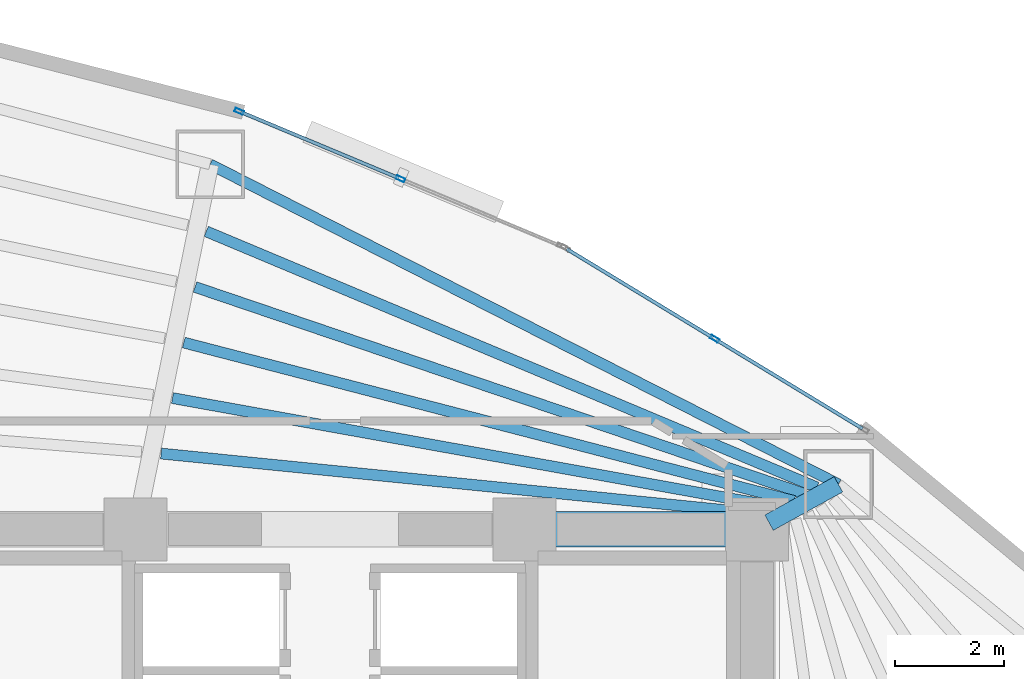
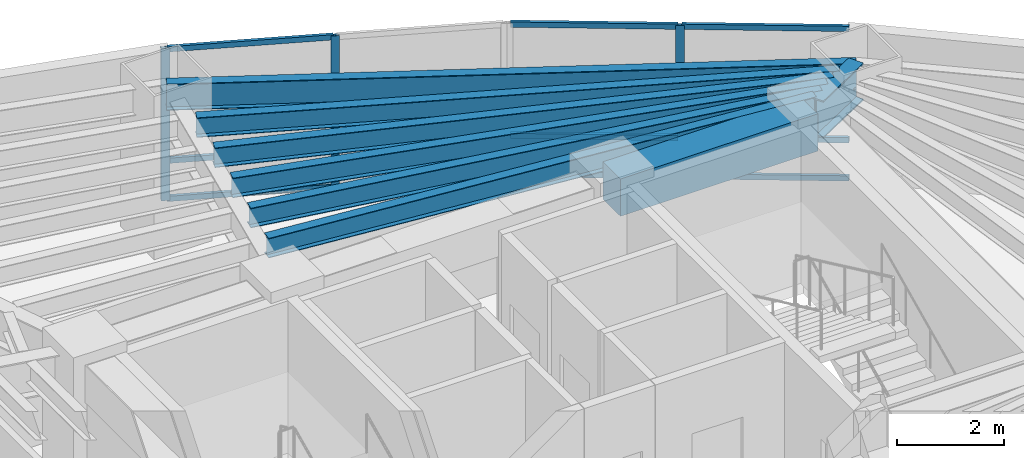
# One storey, part 9 of 16: 12 members, 8 beams, 2 elements without a shape of their own.
"""IFC4 building model written with IfcOpenShell, lengths in metres."""

from ifc_helpers import new_model, si_unit, direction, frame, origin, origin_2d, place, context, subcontext, project, spatial, rectangle, hollow_rectangle, i_section, extrude, material, layer, layer_set, material_profile, profile_set, type_object, element, aggregate, save


model = new_model("IFC4")

# Units and contexts
model_context = context("Model", 3, precision=1e-05, world=origin(), true_north=direction((0.0, 1.0)))
body_context = subcontext(model_context, "Body", "Model", "MODEL_VIEW")
ifc_project = project(units=[si_unit("LENGTHUNIT", "METRE"), si_unit("AREAUNIT", "SQUARE_METRE"), si_unit("VOLUMEUNIT", "CUBIC_METRE"), si_unit("PLANEANGLEUNIT", "RADIAN"), si_unit("MASSUNIT", "GRAM", prefix="KILO")], contexts=[model_context])

# Site, building, storey
site_placement = place(None, origin())
site = spatial("IfcSite", under=ifc_project, at=site_placement, CompositionType="ELEMENT")
building_placement = place(site_placement, origin())
building = spatial("IfcBuilding", under=site, at=building_placement, Name="Menara Vayukalpa", CompositionType="ELEMENT")
storey_placement = place(building_placement, frame((0.0, 0.0, 75.9599609375)))
storey = spatial("IfcBuildingStorey", under=building, at=storey_placement, Name="L18", CompositionType="ELEMENT", Elevation=75.9599609375)

# Beams
ifc_material_1 = material(Name="Concrete C60/75", Category="concrete")
ifc_material_profile_1 = material_profile(ifc_material_1, rectangle(XDim=0.64990234375, YDim=0.85009765625, at=origin_2d()), Name="RC 650x850")
ifc_profile_set_1 = profile_set([ifc_material_profile_1], Name="Concrete C60/75")
beam_type_1 = type_object("IfcBeamType", Name="BM-CB1", PredefinedType="BEAM", material=ifc_profile_set_1)
beam_1_placement = place(storey_placement, frame((29.14990234375, 26.800048828125, 3.044921875), z_axis=(1.0, 0.0, 0.0), x_axis=(0.0, 1.0, 0.0)))
element("IfcBeam", 1, at=beam_1_placement, inside=storey, type_object=beam_type_1, Name="L18 Core Tie Beam CBR6", PredefinedType="BEAM", context=body_context, shape_type="SweptSolid", body=[
    extrude(rectangle(XDim=0.64990234375, YDim=0.85009765625, at=origin_2d()), origin(), (0.0, 0.0, 1.0), 4.25),
])
ifc_material_2 = material(Name="Steel S355", Category="steel")
ifc_material_profile_2 = material_profile(ifc_material_2, i_section(OverallWidth=0.320068359375, OverallDepth=0.85009765625, WebThickness=0.01611328125, FlangeThickness=0.030029296875, at=origin_2d()), Name="WF 850x320x16x30")
ifc_profile_set_2 = profile_set([ifc_material_profile_2], Name="Steel S355")
beam_type_2 = type_object("IfcBeamType", Name="BM-PG2", PredefinedType="BEAM", material=ifc_profile_set_2)
beam_2_placement = place(storey_placement, frame((33.618896484375, 26.9208984375, 3.044921875), z_axis=(0.875228391676, 0.48370989488, 0.0), x_axis=(-0.48370989488, 0.875228391676, 0.0)))
element("IfcBeam", 2, at=beam_2_placement, inside=storey, type_object=beam_type_2, Name="L18 Primary Radial Girder RG02", PredefinedType="BEAM", context=body_context, shape_type="SweptSolid", body=[
    extrude(i_section(OverallWidth=0.320068359375, OverallDepth=0.85009765625, WebThickness=0.01611328125, FlangeThickness=0.030029296875, at=origin_2d()), origin(), (0.0, 0.0, 1.0), 1.448486328125),
])
ifc_material_3 = material(Name="Steel S355", Category="steel")
ifc_material_profile_3 = material_profile(ifc_material_3, i_section(OverallWidth=0.199951171875, OverallDepth=0.449951171875, WebThickness=0.009033203125, FlangeThickness=0.013916015625, at=origin_2d()), Name="WF 450x200x9x14")
ifc_profile_set_3 = profile_set([ifc_material_profile_3], Name="Steel S355")
beam_type_3 = type_object("IfcBeamType", Name="BM-SJ1", PredefinedType="JOIST", material=ifc_profile_set_3)
beam_3_placement = place(storey_placement, frame((33.66796875, 27.06494140625, 3.2451171875), z_axis=(-0.995012360471, 0.0997517043, 0.0), x_axis=(-0.0997517043, -0.995012360471, 0.0)))
element("IfcBeam", 3, at=beam_3_placement, inside=storey, type_object=beam_type_3, Name="L18 Secondary Floor Joist SJ02-1", PredefinedType="JOIST", context=body_context, shape_type="SweptSolid", body=[
    extrude(i_section(OverallWidth=0.199951171875, OverallDepth=0.449951171875, WebThickness=0.009033203125, FlangeThickness=0.013916015625, at=origin_2d()), origin(), (0.0, 0.0, 1.0), 11.20947265625),
])
beam_4_placement = place(storey_placement, frame((33.872802734375, 27.19091796875, 3.2451171875), z_axis=(-0.984203304908, 0.177041957199, 0.0), x_axis=(-0.177041957199, -0.984203304908, 0.0)))
element("IfcBeam", 4, at=beam_4_placement, inside=storey, type_object=beam_type_3, Name="L18 Secondary Floor Joist SJ02-2", PredefinedType="JOIST", context=body_context, shape_type="SweptSolid", body=[
    extrude(i_section(OverallWidth=0.199951171875, OverallDepth=0.449951171875, WebThickness=0.009033203125, FlangeThickness=0.013916015625, at=origin_2d()), origin(), (0.0, 0.0, 1.0), 11.329833984375),
])
beam_5_placement = place(storey_placement, frame((34.07861328125, 27.31640625, 3.2451171875), z_axis=(-0.9679190538, 0.25126222416, 0.0), x_axis=(-0.25126222416, -0.9679190538, 0.0)))
element("IfcBeam", 5, at=beam_5_placement, inside=storey, type_object=beam_type_3, Name="L18 Secondary Floor Joist SJ02-3", PredefinedType="JOIST", context=body_context, shape_type="SweptSolid", body=[
    extrude(i_section(OverallWidth=0.199951171875, OverallDepth=0.449951171875, WebThickness=0.009033203125, FlangeThickness=0.013916015625, at=origin_2d()), origin(), (0.0, 0.0, 1.0), 11.52001953125),
])
beam_6_placement = place(storey_placement, frame((34.28515625, 27.44140625, 3.2451171875), z_axis=(-0.946954817661, 0.321366727134, 0.0), x_axis=(-0.321366727134, -0.946954817661, 0.0)))
element("IfcBeam", 6, at=beam_6_placement, inside=storey, type_object=beam_type_3, Name="L18 Secondary Floor Joist SJ02-4", PredefinedType="JOIST", context=body_context, shape_type="SweptSolid", body=[
    extrude(i_section(OverallWidth=0.199951171875, OverallDepth=0.449951171875, WebThickness=0.009033203125, FlangeThickness=0.013916015625, at=origin_2d()), origin(), (0.0, 0.0, 1.0), 11.776123046875),
])
beam_7_placement = place(storey_placement, frame((34.49267578125, 27.565185546875, 3.2451171875), z_axis=(-0.922223639508, 0.386656900536, 0.0), x_axis=(-0.386656900536, -0.922223639508, 0.0)))
element("IfcBeam", 7, at=beam_7_placement, inside=storey, type_object=beam_type_3, Name="L18 Secondary Floor Joist SJ02-5", PredefinedType="JOIST", context=body_context, shape_type="SweptSolid", body=[
    extrude(i_section(OverallWidth=0.199951171875, OverallDepth=0.449951171875, WebThickness=0.009033203125, FlangeThickness=0.013916015625, at=origin_2d()), origin(), (0.0, 0.0, 1.0), 12.0947265625),
])
ifc_material_4 = material(Name="Steel S355", Category="steel")
ifc_material_profile_4 = material_profile(ifc_material_4, i_section(OverallWidth=0.199951171875, OverallDepth=0.60009765625, WebThickness=0.010986328125, FlangeThickness=0.01708984375, at=origin_2d()), Name="WF 600x200x11x17")
ifc_profile_set_4 = profile_set([ifc_material_profile_4], Name="Steel S355")
beam_type_4 = type_object("IfcBeamType", Name="BM-SP1", PredefinedType="SPANDREL", material=ifc_profile_set_4)
beam_8_placement = place(storey_placement, frame((34.88671875, 27.62158203125, 3.169921875), z_axis=(-0.891097345221, 0.453812209333, 0.0), x_axis=(-0.453812209333, -0.891097345221, 0.0)))
element("IfcBeam", 8, at=beam_8_placement, inside=storey, type_object=beam_type_4, Name="L18 Perimeter Spandrel Beam SP02", PredefinedType="SPANDREL", context=body_context, shape_type="SweptSolid", body=[
    extrude(i_section(OverallWidth=0.199951171875, OverallDepth=0.60009765625, WebThickness=0.010986328125, FlangeThickness=0.01708984375, at=origin_2d()), origin(), (0.0, 0.0, 1.0), 12.88134765625),
])

# Curtain wall, member
ifc_material_5 = material(Name="Anodised Terracotta Aluminium Alloy 6063-T6", Category="masonry")
ifc_layer = layer(ifc_material_5, 0.1650390625)
ifc_layer_set = layer_set([ifc_layer], Name="Anodised Terracotta Aluminium Alloy 6063-T6")
curtain_wall_type = type_object("IfcCurtainWallType", Name="CW-CW2", PredefinedType="USERDEFINED", material=ifc_layer_set)
curtain_wall_1_placement = place(storey_placement, origin())
curtain_wall_1 = element("IfcCurtainWall", 9, at=curtain_wall_1_placement, inside=storey, type_object=curtain_wall_type, Name="L18 Low Rise Terracotta Ribbon Curtain Wall CW2 04", ObjectType="UNITISED", PredefinedType="USERDEFINED")
ifc_material_6 = material(Name="Anodised Terracotta Aluminium Alloy 6063-T6", Category="masonry")
ifc_material_profile_5 = material_profile(ifc_material_6, hollow_rectangle(XDim=0.070068359375, YDim=0.1650390625, WallThickness=0.00390625, at=origin_2d()), Name="ALU 70x165x4")
ifc_profile_set_5 = profile_set([ifc_material_profile_5], Name="Anodised Terracotta Aluminium Alloy 6063-T6")
member_type_1 = type_object("IfcMemberType", Name="CWM-CW2", PredefinedType="MULLION", material=ifc_profile_set_5)
member_1_placement = place(storey_placement, frame((32.6259765625, 30.278564453125, 0.0), z_axis=(0.0, 0.0, 1.0), x_axis=(-0.519182959112, -0.854663123674, 0.0)))
member_1 = element("IfcMember", 10, at=member_1_placement, type_object=member_type_1, Name="CW2 mullion 2", PredefinedType="MULLION", context=body_context, shape_type="SweptSolid", body=[
    extrude(hollow_rectangle(XDim=0.070068359375, YDim=0.1650390625, WallThickness=0.00390625, at=origin_2d()), origin(), (0.0, 0.0, 1.0), 3.469970703125),
])

# Curtain wall, members
curtain_wall_2_placement = place(storey_placement, origin())
curtain_wall_2 = element("IfcCurtainWall", 11, at=curtain_wall_2_placement, inside=storey, type_object=curtain_wall_type, Name="L18 Low Rise Terracotta Ribbon Curtain Wall CW2 05", ObjectType="UNITISED", PredefinedType="USERDEFINED")
member_2_placement = place(storey_placement, frame((26.88671875, 33.201416015625, 0.0), z_axis=(0.0, 0.0, 1.0), x_axis=(-0.38589358437, -0.922543300632, 0.0)))
member_2 = element("IfcMember", 12, at=member_2_placement, type_object=member_type_1, Name="CW2 mullion 2", PredefinedType="MULLION", context=body_context, shape_type="SweptSolid", body=[
    extrude(hollow_rectangle(XDim=0.070068359375, YDim=0.1650390625, WallThickness=0.00390625, at=origin_2d()), origin(), (0.0, 0.0, 1.0), 3.469970703125),
])
member_3_placement = place(storey_placement, frame((23.939697265625, 34.43408203125, 0.0), z_axis=(0.0, 0.0, 1.0), x_axis=(-0.38589358437, -0.922543300632, 0.0)))
member_3 = element("IfcMember", 13, at=member_3_placement, type_object=member_type_1, Name="CW2 mullion 3", PredefinedType="MULLION", context=body_context, shape_type="SweptSolid", body=[
    extrude(hollow_rectangle(XDim=0.070068359375, YDim=0.1650390625, WallThickness=0.00390625, at=origin_2d()), origin(), (0.0, 0.0, 1.0), 3.469970703125),
])

# Member
ifc_material_7 = material(Name="Anodised Terracotta Aluminium Alloy 6063-T6", Category="masonry")
ifc_material_profile_6 = material_profile(ifc_material_7, hollow_rectangle(XDim=0.06494140625, YDim=0.1201171875, WallThickness=0.00341796875, at=origin_2d()), Name="ALU 65x120x3.5")
ifc_profile_set_6 = profile_set([ifc_material_profile_6], Name="Anodised Terracotta Aluminium Alloy 6063-T6")
member_type_2 = type_object("IfcMemberType", Name="CWT-CW2", PredefinedType="USERDEFINED", material=ifc_profile_set_6)
member_4_placement = place(storey_placement, frame((35.326171875, 28.63818359375, 0.032470703125), z_axis=(-0.854646359065, 0.519210555494, 0.0), x_axis=(-0.519210555494, -0.854646359065, 0.0)))
member_4 = element("IfcMember", 14, at=member_4_placement, type_object=member_type_2, Name="CW2 transom 1.1", ObjectType="TRANSOM", PredefinedType="USERDEFINED", context=body_context, shape_type="SweptSolid", body=[
    extrude(hollow_rectangle(XDim=0.06494140625, YDim=0.1201171875, WallThickness=0.00341796875, at=origin_2d()), origin(), (0.0, 0.0, 1.0), 3.12451171875),
])

member_5_placement = place(storey_placement, frame((35.326171875, 28.63818359375, 0.900146484375), z_axis=(-0.854646359065, 0.519210555494, 0.0), x_axis=(-0.519210555494, -0.854646359065, 0.0)))
member_5 = element("IfcMember", 15, at=member_5_placement, type_object=member_type_2, Name="CW2 transom 1.2", ObjectType="TRANSOM", PredefinedType="USERDEFINED", context=body_context, shape_type="SweptSolid", body=[
    extrude(hollow_rectangle(XDim=0.06494140625, YDim=0.1201171875, WallThickness=0.00341796875, at=origin_2d()), origin(), (0.0, 0.0, 1.0), 3.12451171875),
])

member_6_placement = place(storey_placement, frame((35.326171875, 28.63818359375, 3.4375), z_axis=(-0.854646359065, 0.519210555494, 0.0), x_axis=(-0.519210555494, -0.854646359065, 0.0)))
member_6 = element("IfcMember", 16, at=member_6_placement, type_object=member_type_2, Name="CW2 transom 1.3", ObjectType="TRANSOM", PredefinedType="USERDEFINED", context=body_context, shape_type="SweptSolid", body=[
    extrude(hollow_rectangle(XDim=0.06494140625, YDim=0.1201171875, WallThickness=0.00341796875, at=origin_2d()), origin(), (0.0, 0.0, 1.0), 3.12451171875),
])

member_7_placement = place(storey_placement, frame((32.595947265625, 30.296630859375, 0.032470703125), z_axis=(-0.854625293212, 0.519245229349, 0.0), x_axis=(-0.519245229349, -0.854625293212, 0.0)))
member_7 = element("IfcMember", 17, at=member_7_placement, type_object=member_type_2, Name="CW2 transom 2.1", ObjectType="TRANSOM", PredefinedType="USERDEFINED", context=body_context, shape_type="SweptSolid", body=[
    extrude(hollow_rectangle(XDim=0.06494140625, YDim=0.1201171875, WallThickness=0.00341796875, at=origin_2d()), origin(), (0.0, 0.0, 1.0), 3.124267578125),
])

member_8_placement = place(storey_placement, frame((32.595947265625, 30.296630859375, 0.900146484375), z_axis=(-0.854625293212, 0.519245229349, 0.0), x_axis=(-0.519245229349, -0.854625293212, 0.0)))
member_8 = element("IfcMember", 18, at=member_8_placement, type_object=member_type_2, Name="CW2 transom 2.2", ObjectType="TRANSOM", PredefinedType="USERDEFINED", context=body_context, shape_type="SweptSolid", body=[
    extrude(hollow_rectangle(XDim=0.06494140625, YDim=0.1201171875, WallThickness=0.00341796875, at=origin_2d()), origin(), (0.0, 0.0, 1.0), 3.124267578125),
])

member_9_placement = place(storey_placement, frame((32.595947265625, 30.296630859375, 3.4375), z_axis=(-0.854625293212, 0.519245229349, 0.0), x_axis=(-0.519245229349, -0.854625293212, 0.0)))
member_9 = element("IfcMember", 19, at=member_9_placement, type_object=member_type_2, Name="CW2 transom 2.3", ObjectType="TRANSOM", PredefinedType="USERDEFINED", context=body_context, shape_type="SweptSolid", body=[
    extrude(hollow_rectangle(XDim=0.06494140625, YDim=0.1201171875, WallThickness=0.00341796875, at=origin_2d()), origin(), (0.0, 0.0, 1.0), 3.124267578125),
])

aggregate(curtain_wall_1, [member_1, member_4, member_5, member_6, member_7, member_8, member_9])

member_10_placement = place(storey_placement, frame((26.854248046875, 33.21484375, 0.032470703125), z_axis=(-0.922525759021, 0.385935517856, 0.0), x_axis=(-0.385935517856, -0.922525759021, 0.0)))
member_10 = element("IfcMember", 20, at=member_10_placement, type_object=member_type_2, Name="CW2 transom 2.1", ObjectType="TRANSOM", PredefinedType="USERDEFINED", context=body_context, shape_type="SweptSolid", body=[
    extrude(hollow_rectangle(XDim=0.06494140625, YDim=0.1201171875, WallThickness=0.00341796875, at=origin_2d()), origin(), (0.0, 0.0, 1.0), 3.124267578125),
])

member_11_placement = place(storey_placement, frame((26.854248046875, 33.21484375, 0.900146484375), z_axis=(-0.922525759021, 0.385935517856, 0.0), x_axis=(-0.385935517856, -0.922525759021, 0.0)))
member_11 = element("IfcMember", 21, at=member_11_placement, type_object=member_type_2, Name="CW2 transom 2.2", ObjectType="TRANSOM", PredefinedType="USERDEFINED", context=body_context, shape_type="SweptSolid", body=[
    extrude(hollow_rectangle(XDim=0.06494140625, YDim=0.1201171875, WallThickness=0.00341796875, at=origin_2d()), origin(), (0.0, 0.0, 1.0), 3.124267578125),
])

member_12_placement = place(storey_placement, frame((26.854248046875, 33.21484375, 3.4375), z_axis=(-0.922525759021, 0.385935517856, 0.0), x_axis=(-0.385935517856, -0.922525759021, 0.0)))
member_12 = element("IfcMember", 22, at=member_12_placement, type_object=member_type_2, Name="CW2 transom 2.3", ObjectType="TRANSOM", PredefinedType="USERDEFINED", context=body_context, shape_type="SweptSolid", body=[
    extrude(hollow_rectangle(XDim=0.06494140625, YDim=0.1201171875, WallThickness=0.00341796875, at=origin_2d()), origin(), (0.0, 0.0, 1.0), 3.124267578125),
])

aggregate(curtain_wall_2, [member_2, member_3, member_10, member_11, member_12])

save(model, "model.ifc")
